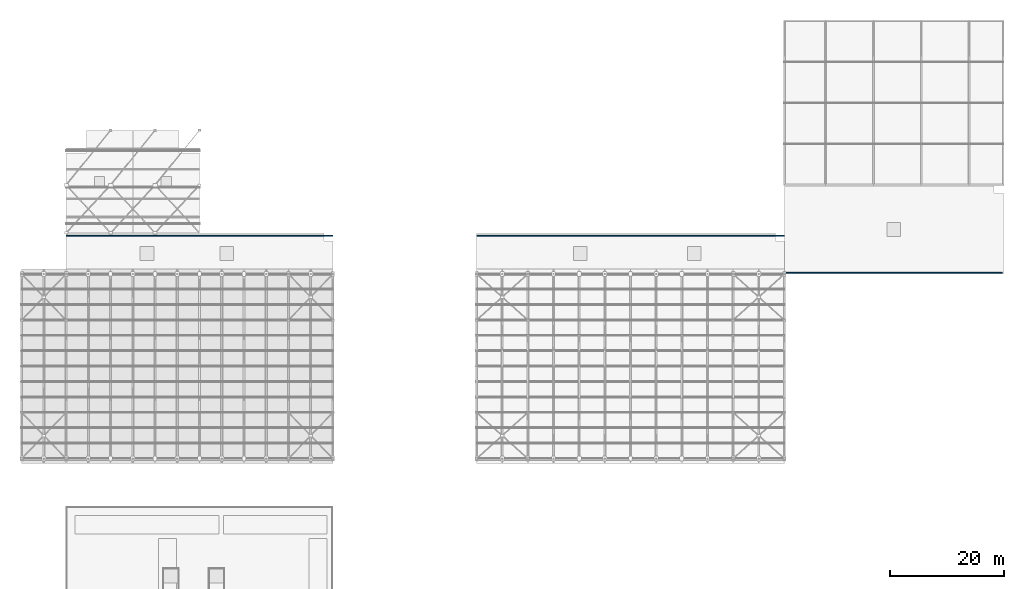
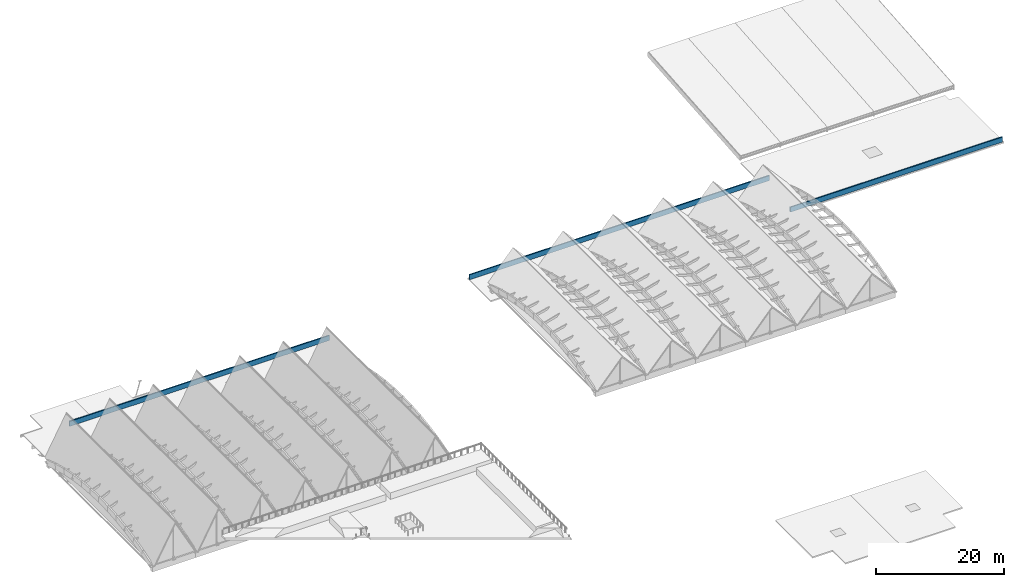
# One storey, part 36 of 39: 3 walls.
"""IFC4 building model written with IfcOpenShell, lengths in metres."""

from ifc_helpers import new_model, si_unit, direction, frame, frame_2d, origin, place, context, subcontext, project, spatial, rectangle, extrude, material, layer, layer_set, type_object, element, save


model = new_model("IFC4")

# Units and contexts
model_context = context("Model", 3, precision=1e-05, world=origin(), true_north=direction((0.0, 1.0)))
body_context = subcontext(model_context, "Body", "Model", "MODEL_VIEW")
ifc_project = project(units=[si_unit("LENGTHUNIT", "METRE"), si_unit("AREAUNIT", "SQUARE_METRE"), si_unit("VOLUMEUNIT", "CUBIC_METRE"), si_unit("PLANEANGLEUNIT", "RADIAN"), si_unit("MASSUNIT", "GRAM", prefix="KILO")], contexts=[model_context])

# Site, building, storey
site_placement = place(None, origin())
site = spatial("IfcSite", under=ifc_project, at=site_placement, CompositionType="ELEMENT")
building_placement = place(site_placement, origin())
building = spatial("IfcBuilding", under=site, at=building_placement, Name="Tizgana Railside Sports Hall", CompositionType="ELEMENT")
storey_placement = place(building_placement, frame((0.0, 0.0, 23.699951171875)))
storey = spatial("IfcBuildingStorey", under=building, at=storey_placement, Name="RF", CompositionType="ELEMENT", Elevation=23.699951171875)

# Walls
ifc_material = material(Name="Concrete C35/45", Category="concrete")
ifc_layer = layer(ifc_material, 0.2099609375, Name="Concrete C35/45")
ifc_layer_set = layer_set([ifc_layer], Name="Concrete C35/45")
wall_type = type_object("IfcWallType", Name="Roof Parapet Upstand 210", PredefinedType="PARAPET", material=ifc_layer_set)
wall_1_placement = place(storey_placement, frame((7.800048828125, 79.89990234375, -8.099853515625), z_axis=(0.0, 0.0, 1.0), x_axis=(1.0, 0.0, 0.0)))
element("IfcWall", 1, at=wall_1_placement, inside=storey, type_object=wall_type, Name="RF Parapet PAR-0001", PredefinedType="PARAPET", context=body_context, shape_type="SweptSolid", body=[
    extrude(rectangle(XDim=46.800048828125, YDim=0.2099609375, at=frame_2d((23.39990234375, 0.0))), origin(), (0.0, 0.0, 1.0), 0.949951171875),
])
wall_2_placement = place(storey_placement, frame((79.800048828125, 79.89990234375, -5.39990234375), z_axis=(0.0, 0.0, 1.0), x_axis=(1.0, 0.0, 0.0)))
element("IfcWall", 2, at=wall_2_placement, inside=storey, type_object=wall_type, Name="RF Parapet PAR-0002", PredefinedType="PARAPET", context=body_context, shape_type="SweptSolid", body=[
    extrude(rectangle(XDim=54.0, YDim=0.2099609375, at=frame_2d((27.0, 0.0))), origin(), (0.0, 0.0, 1.0), 0.949951171875),
])
wall_3_placement = place(storey_placement, frame((133.800048828125, 73.39990234375, -7.5), z_axis=(0.0, 0.0, 1.0), x_axis=(1.0, 0.0, 0.0)))
element("IfcWall", 3, at=wall_3_placement, inside=storey, type_object=wall_type, Name="RF Parapet PAR-0003", PredefinedType="PARAPET", context=body_context, shape_type="SweptSolid", body=[
    extrude(rectangle(XDim=38.199951171875, YDim=0.2099609375, at=frame_2d((19.10009765625, 0.0))), origin(), (0.0, 0.0, 1.0), 0.949951171875),
])

save(model, "model.ifc")
